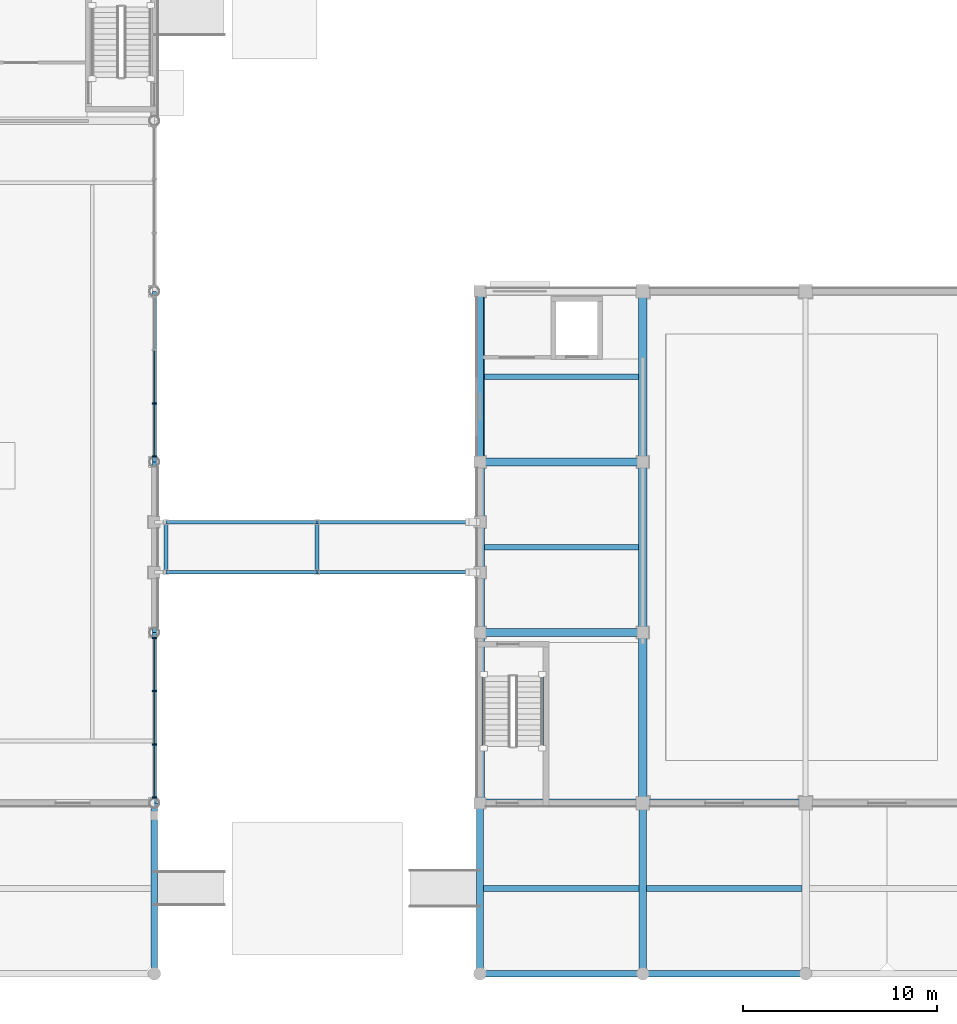
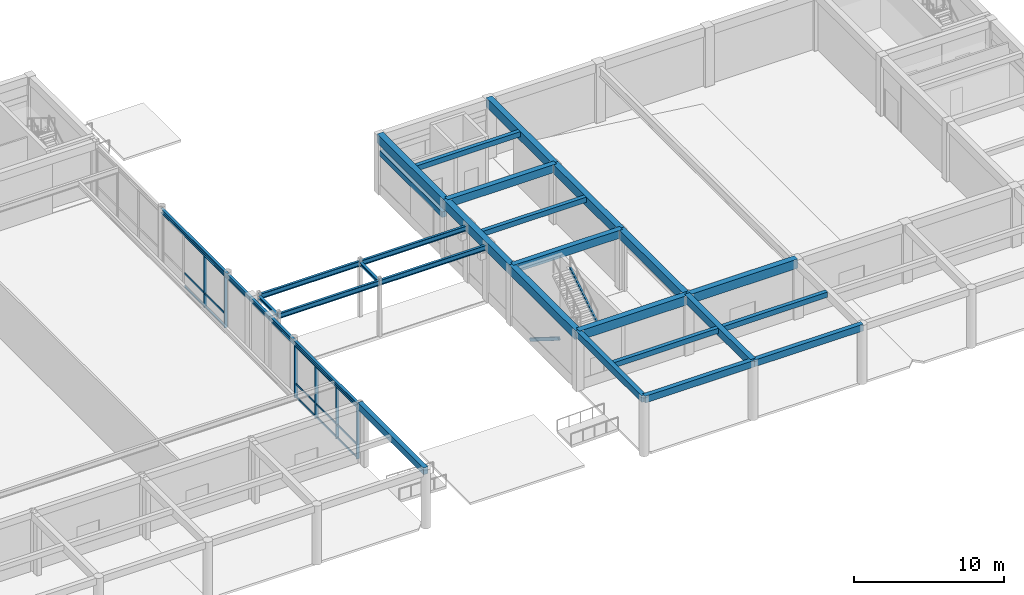
# One storey, part 13 of 58: 29 beams, 23 members, 2 elements without a shape of their own.
"""IFC4 building model written with IfcOpenShell, lengths in metres."""

from ifc_helpers import new_model, si_unit, direction, frame, origin, origin_2d, place, context, subcontext, project, spatial, rectangle, hollow_rectangle, i_section, extrude, material, material_profile, profile_set, type_object, element, aggregate, save


model = new_model("IFC4")

# Units and contexts
model_context = context("Model", 3, precision=1e-05, world=origin(), true_north=direction((0.0, 1.0)))
body_context = subcontext(model_context, "Body", "Model", "MODEL_VIEW")
ifc_project = project(units=[si_unit("LENGTHUNIT", "METRE"), si_unit("AREAUNIT", "SQUARE_METRE"), si_unit("VOLUMEUNIT", "CUBIC_METRE"), si_unit("PLANEANGLEUNIT", "RADIAN"), si_unit("MASSUNIT", "GRAM", prefix="KILO")], contexts=[model_context])

# Site, building, storey
site_placement = place(None, origin())
site = spatial("IfcSite", under=ifc_project, at=site_placement, CompositionType="ELEMENT")
building_placement = place(site_placement, origin())
building = spatial("IfcBuilding", under=site, at=building_placement, Name="Kemercrest Conservatory and Botanical Centre", CompositionType="ELEMENT")
storey_placement = place(building_placement, origin())
storey = spatial("IfcBuildingStorey", under=building, at=storey_placement, Name="L00", CompositionType="ELEMENT", Elevation=0.0)

# Beams
ifc_material_1 = material(Name="Steel CSA G40.21 350W", Category="steel")
ifc_material_profile_1 = material_profile(ifc_material_1, i_section(OverallWidth=0.180908203125, OverallDepth=0.4169921875, WebThickness=0.010986328125, FlangeThickness=0.018310546875, FilletRadius=0.01611328125, at=origin_2d()), Name="W410X85")
ifc_profile_set_1 = profile_set([ifc_material_profile_1], Name="Steel CSA G40.21 350W")
beam_type_1 = type_object("IfcBeamType", Name="BM-LB410", PredefinedType="BEAM", material=ifc_profile_set_1)
for number, where, z_axis, x_axis, name in (
    (1, (42.199951171875, 28.699951171875, 4.37158203125), (1.0, 0.0, 0.0), (0.0, 1.0, 0.0), "Link bridge girder LB-01 SJ-1"),
    (2, (42.199951171875, 31.300048828125, 4.37158203125), (1.0, 0.0, 0.0), (0.0, 1.0, 0.0), "Link bridge girder LB-01 SJ-1"),
):
    element("IfcBeam", number, at=place(storey_placement, frame(where, z_axis=z_axis, x_axis=x_axis)), inside=storey, type_object=beam_type_1, Name=name, PredefinedType="BEAM", context=body_context, shape_type="SweptSolid", body=[
        extrude(i_section(OverallWidth=0.180908203125, OverallDepth=0.4169921875, WebThickness=0.010986328125, FlangeThickness=0.018310546875, FilletRadius=0.01611328125, at=origin_2d()), origin(), (0.0, 0.0, 1.0), 7.800048828125),
    ])
for number, where, z_axis, x_axis, name in (
    (3, (50.0, 28.699951171875, 4.37158203125), (1.0, 0.0, 0.0), (0.0, 1.0, 0.0), "Link bridge girder LB-01 SJ-1"),
    (4, (50.0, 31.300048828125, 4.37158203125), (1.0, 0.0, 0.0), (0.0, 1.0, 0.0), "Link bridge girder LB-01 SJ-1"),
):
    element("IfcBeam", number, at=place(storey_placement, frame(where, z_axis=z_axis, x_axis=x_axis)), inside=storey, type_object=beam_type_1, Name=name, PredefinedType="BEAM", context=body_context, shape_type="SweptSolid", body=[
        extrude(i_section(OverallWidth=0.180908203125, OverallDepth=0.4169921875, WebThickness=0.010986328125, FlangeThickness=0.018310546875, FilletRadius=0.01611328125, at=origin_2d()), origin(), (0.0, 0.0, 1.0), 8.25),
    ])
ifc_material_2 = material(Name="Concrete C40/50", Category="concrete")
ifc_material_profile_2 = material_profile(ifc_material_2, rectangle(XDim=0.39990234375, YDim=0.64990234375, at=origin_2d()), Name="RC 400x650")
ifc_profile_set_2 = profile_set([ifc_material_profile_2], Name="Concrete C40/50")
beam_type_2 = type_object("IfcBeamType", Name="BM-RC65", PredefinedType="BEAM", material=ifc_profile_set_2)
for number, where, z_axis, x_axis, name in (
    (5, (58.39990234375, 25.60009765625, 4.47509765625), (1.0, 0.0, 0.0), (0.0, 1.0, 0.0), "V2W-L01 beam BM-RC65 C/07-08"),
    (6, (58.39990234375, 34.39990234375, 4.47509765625), (1.0, 0.0, 0.0), (0.0, 1.0, 0.0), "V2W-L01 beam BM-RC65 D/07-08"),
):
    element("IfcBeam", number, at=place(storey_placement, frame(where, z_axis=z_axis, x_axis=x_axis)), inside=storey, type_object=beam_type_2, Name=name, PredefinedType="BEAM", context=body_context, shape_type="SweptSolid", body=[
        extrude(rectangle(XDim=0.39990234375, YDim=0.64990234375, at=origin_2d()), origin(), (0.0, 0.0, 1.0), 8.400146484375),
    ])
beam_1_placement = place(storey_placement, frame((66.800048828125, 8.0, 4.47509765625), z_axis=(0.0, 1.0, 0.0), x_axis=(-1.0, 0.0, 0.0)))
element("IfcBeam", 7, at=beam_1_placement, inside=storey, type_object=beam_type_2, Name="V2COL beam BM-RC65 08/A-B", PredefinedType="BEAM", context=body_context, shape_type="SweptSolid", body=[
    extrude(rectangle(XDim=0.39990234375, YDim=0.64990234375, at=origin_2d()), origin(), (0.0, 0.0, 1.0), 8.800048828125),
])

# Curtain wall, members
ifc_material_3 = material(Name="Thermally broken aluminium and triple low-e glazing", Category="aluminium")
curtain_wall_type_1 = type_object("IfcCurtainWallType", Name="CW-02", PredefinedType="USERDEFINED", material=ifc_material_3)
curtain_wall_1_placement = place(storey_placement, origin())
curtain_wall_1 = element("IfcCurtainWall", 8, at=curtain_wall_1_placement, inside=storey, type_object=curtain_wall_type_1, Name="Unitised curtain wall CW-02 (CW:L00:V1-001)", ObjectType="UNITISED CURTAIN WALL", PredefinedType="USERDEFINED")
ifc_material_4 = material(Name="Thermally broken anodized aluminium 6063-T6", Category="aluminium")
ifc_material_profile_3 = material_profile(ifc_material_4, rectangle(XDim=0.239990234375, YDim=0.074951171875, at=origin_2d()), Name="AL MULLION 75x240")
ifc_profile_set_3 = profile_set([ifc_material_profile_3], Name="Thermally broken anodized aluminium 6063-T6")
member_type_1 = type_object("IfcMemberType", Name="CW-M225", PredefinedType="MULLION", material=ifc_profile_set_3)
member_1_placement = place(storey_placement, frame((41.60009765625, 17.08642578125, 0.0), z_axis=(0.0, 0.0, 1.0), x_axis=(-1.0, 0.0, 0.0)))
member_1 = element("IfcMember", 9, at=member_1_placement, type_object=member_type_1, Name="CW-02 mullion 1", PredefinedType="MULLION", context=body_context, shape_type="SweptSolid", body=[
    extrude(rectangle(XDim=0.239990234375, YDim=0.074951171875, at=origin_2d()), origin(), (0.0, 0.0, 1.0), 4.23095703125),
])
member_2_placement = place(storey_placement, frame((41.60009765625, 19.81640625, 0.0), z_axis=(0.0, 0.0, 1.0), x_axis=(-1.0, 0.0, 0.0)))
member_2 = element("IfcMember", 10, at=member_2_placement, type_object=member_type_1, Name="CW-02 mullion 2", PredefinedType="MULLION", context=body_context, shape_type="SweptSolid", body=[
    extrude(rectangle(XDim=0.239990234375, YDim=0.074951171875, at=origin_2d()), origin(), (0.0, 0.0, 1.0), 4.23095703125),
])
member_3_placement = place(storey_placement, frame((41.60009765625, 22.583740234375, 0.0), z_axis=(0.0, 0.0, 1.0), x_axis=(-1.0, 0.0, 0.0)))
member_3 = element("IfcMember", 11, at=member_3_placement, type_object=member_type_1, Name="CW-02 mullion 3", PredefinedType="MULLION", context=body_context, shape_type="SweptSolid", body=[
    extrude(rectangle(XDim=0.239990234375, YDim=0.074951171875, at=origin_2d()), origin(), (0.0, 0.0, 1.0), 4.23095703125),
])
member_4_placement = place(storey_placement, frame((41.60009765625, 25.3134765625, 0.0), z_axis=(0.0, 0.0, 1.0), x_axis=(-1.0, 0.0, 0.0)))
member_4 = element("IfcMember", 12, at=member_4_placement, type_object=member_type_1, Name="CW-02 mullion 4", PredefinedType="MULLION", context=body_context, shape_type="SweptSolid", body=[
    extrude(rectangle(XDim=0.239990234375, YDim=0.074951171875, at=origin_2d()), origin(), (0.0, 0.0, 1.0), 4.23095703125),
])

curtain_wall_type_2 = type_object("IfcCurtainWallType", Name="CW-03", PredefinedType="USERDEFINED", material=ifc_material_3)
curtain_wall_2_placement = place(storey_placement, origin())
curtain_wall_2 = element("IfcCurtainWall", 13, at=curtain_wall_2_placement, inside=storey, type_object=curtain_wall_type_2, Name="Unitised curtain wall CW-03 (CW:L00:V1-002)", ObjectType="UNITISED CURTAIN WALL", PredefinedType="USERDEFINED")
member_5_placement = place(storey_placement, frame((41.60009765625, 34.6865234375, 0.0), z_axis=(0.0, 0.0, 1.0), x_axis=(-1.0, 0.0, 0.0)))
member_5 = element("IfcMember", 14, at=member_5_placement, type_object=member_type_1, Name="CW-03 mullion 1", PredefinedType="MULLION", context=body_context, shape_type="SweptSolid", body=[
    extrude(rectangle(XDim=0.239990234375, YDim=0.074951171875, at=origin_2d()), origin(), (0.0, 0.0, 1.0), 4.23095703125),
])
member_6_placement = place(storey_placement, frame((41.60009765625, 37.416259765625, 0.0), z_axis=(0.0, 0.0, 1.0), x_axis=(-1.0, 0.0, 0.0)))
member_6 = element("IfcMember", 15, at=member_6_placement, type_object=member_type_1, Name="CW-03 mullion 2", PredefinedType="MULLION", context=body_context, shape_type="SweptSolid", body=[
    extrude(rectangle(XDim=0.239990234375, YDim=0.074951171875, at=origin_2d()), origin(), (0.0, 0.0, 1.0), 4.23095703125),
])

# Member
ifc_material_profile_4 = material_profile(ifc_material_4, rectangle(XDim=0.06494140625, YDim=0.14990234375, at=origin_2d()), Name="AL TRANSOM 65x150")
ifc_profile_set_4 = profile_set([ifc_material_profile_4], Name="Thermally broken anodized aluminium 6063-T6")
member_type_2 = type_object("IfcMemberType", Name="CW-T200", PredefinedType="USERDEFINED", material=ifc_profile_set_4)
member_7_placement = place(storey_placement, frame((41.60009765625, 17.1240234375, 0.074951171875), z_axis=(0.0, 1.0, 0.0), x_axis=(-1.0, 0.0, 0.0)))
member_7 = element("IfcMember", 16, at=member_7_placement, type_object=member_type_2, Name="CW-02 transom 1.1", ObjectType="TRANSOM", PredefinedType="USERDEFINED", context=body_context, shape_type="SweptSolid", body=[
    extrude(rectangle(XDim=0.06494140625, YDim=0.14990234375, at=origin_2d()), origin(), (0.0, 0.0, 1.0), 2.65478515625),
])

member_8_placement = place(storey_placement, frame((41.60009765625, 17.1240234375, 1.1201171875), z_axis=(0.0, 1.0, 0.0), x_axis=(-1.0, 0.0, 0.0)))
member_8 = element("IfcMember", 17, at=member_8_placement, type_object=member_type_2, Name="CW-02 transom 1.2", ObjectType="TRANSOM", PredefinedType="USERDEFINED", context=body_context, shape_type="SweptSolid", body=[
    extrude(rectangle(XDim=0.06494140625, YDim=0.14990234375, at=origin_2d()), origin(), (0.0, 0.0, 1.0), 2.65478515625),
])

member_9_placement = place(storey_placement, frame((41.60009765625, 17.1240234375, 4.156005859375), z_axis=(0.0, 1.0, 0.0), x_axis=(-1.0, 0.0, 0.0)))
member_9 = element("IfcMember", 18, at=member_9_placement, type_object=member_type_2, Name="CW-02 transom 1.3", ObjectType="TRANSOM", PredefinedType="USERDEFINED", context=body_context, shape_type="SweptSolid", body=[
    extrude(rectangle(XDim=0.06494140625, YDim=0.14990234375, at=origin_2d()), origin(), (0.0, 0.0, 1.0), 2.65478515625),
])

member_10_placement = place(storey_placement, frame((41.60009765625, 19.853759765625, 0.074951171875), z_axis=(0.0, 1.0, 0.0), x_axis=(-1.0, 0.0, 0.0)))
member_10 = element("IfcMember", 19, at=member_10_placement, type_object=member_type_2, Name="CW-02 transom 2.1", ObjectType="TRANSOM", PredefinedType="USERDEFINED", context=body_context, shape_type="SweptSolid", body=[
    extrude(rectangle(XDim=0.06494140625, YDim=0.14990234375, at=origin_2d()), origin(), (0.0, 0.0, 1.0), 2.6923828125),
])

member_11_placement = place(storey_placement, frame((41.60009765625, 19.853759765625, 1.1201171875), z_axis=(0.0, 1.0, 0.0), x_axis=(-1.0, 0.0, 0.0)))
member_11 = element("IfcMember", 20, at=member_11_placement, type_object=member_type_2, Name="CW-02 transom 2.2", ObjectType="TRANSOM", PredefinedType="USERDEFINED", context=body_context, shape_type="SweptSolid", body=[
    extrude(rectangle(XDim=0.06494140625, YDim=0.14990234375, at=origin_2d()), origin(), (0.0, 0.0, 1.0), 2.6923828125),
])

member_12_placement = place(storey_placement, frame((41.60009765625, 19.853759765625, 4.156005859375), z_axis=(0.0, 1.0, 0.0), x_axis=(-1.0, 0.0, 0.0)))
member_12 = element("IfcMember", 21, at=member_12_placement, type_object=member_type_2, Name="CW-02 transom 2.3", ObjectType="TRANSOM", PredefinedType="USERDEFINED", context=body_context, shape_type="SweptSolid", body=[
    extrude(rectangle(XDim=0.06494140625, YDim=0.14990234375, at=origin_2d()), origin(), (0.0, 0.0, 1.0), 2.6923828125),
])

member_13_placement = place(storey_placement, frame((41.60009765625, 22.62109375, 0.074951171875), z_axis=(0.0, 1.0, 0.0), x_axis=(-1.0, 0.0, 0.0)))
member_13 = element("IfcMember", 22, at=member_13_placement, type_object=member_type_2, Name="CW-02 transom 3.1", ObjectType="TRANSOM", PredefinedType="USERDEFINED", context=body_context, shape_type="SweptSolid", body=[
    extrude(rectangle(XDim=0.06494140625, YDim=0.14990234375, at=origin_2d()), origin(), (0.0, 0.0, 1.0), 2.65478515625),
])

member_14_placement = place(storey_placement, frame((41.60009765625, 22.62109375, 1.1201171875), z_axis=(0.0, 1.0, 0.0), x_axis=(-1.0, 0.0, 0.0)))
member_14 = element("IfcMember", 23, at=member_14_placement, type_object=member_type_2, Name="CW-02 transom 3.2", ObjectType="TRANSOM", PredefinedType="USERDEFINED", context=body_context, shape_type="SweptSolid", body=[
    extrude(rectangle(XDim=0.06494140625, YDim=0.14990234375, at=origin_2d()), origin(), (0.0, 0.0, 1.0), 2.65478515625),
])

member_15_placement = place(storey_placement, frame((41.60009765625, 22.62109375, 4.156005859375), z_axis=(0.0, 1.0, 0.0), x_axis=(-1.0, 0.0, 0.0)))
member_15 = element("IfcMember", 24, at=member_15_placement, type_object=member_type_2, Name="CW-02 transom 3.3", ObjectType="TRANSOM", PredefinedType="USERDEFINED", context=body_context, shape_type="SweptSolid", body=[
    extrude(rectangle(XDim=0.06494140625, YDim=0.14990234375, at=origin_2d()), origin(), (0.0, 0.0, 1.0), 2.65478515625),
])

aggregate(curtain_wall_1, [member_1, member_2, member_3, member_4, member_7, member_8, member_9, member_10, member_11, member_12, member_13, member_14, member_15])

member_16_placement = place(storey_placement, frame((41.60009765625, 34.72412109375, 0.074951171875), z_axis=(0.0, 1.0, 0.0), x_axis=(-1.0, 0.0, 0.0)))
member_16 = element("IfcMember", 25, at=member_16_placement, type_object=member_type_2, Name="CW-03 transom 1.1", ObjectType="TRANSOM", PredefinedType="USERDEFINED", context=body_context, shape_type="SweptSolid", body=[
    extrude(rectangle(XDim=0.06494140625, YDim=0.14990234375, at=origin_2d()), origin(), (0.0, 0.0, 1.0), 2.65478515625),
])

member_17_placement = place(storey_placement, frame((41.60009765625, 34.72412109375, 1.1201171875), z_axis=(0.0, 1.0, 0.0), x_axis=(-1.0, 0.0, 0.0)))
member_17 = element("IfcMember", 26, at=member_17_placement, type_object=member_type_2, Name="CW-03 transom 1.2", ObjectType="TRANSOM", PredefinedType="USERDEFINED", context=body_context, shape_type="SweptSolid", body=[
    extrude(rectangle(XDim=0.06494140625, YDim=0.14990234375, at=origin_2d()), origin(), (0.0, 0.0, 1.0), 2.65478515625),
])

member_18_placement = place(storey_placement, frame((41.60009765625, 34.72412109375, 4.156005859375), z_axis=(0.0, 1.0, 0.0), x_axis=(-1.0, 0.0, 0.0)))
member_18 = element("IfcMember", 27, at=member_18_placement, type_object=member_type_2, Name="CW-03 transom 1.3", ObjectType="TRANSOM", PredefinedType="USERDEFINED", context=body_context, shape_type="SweptSolid", body=[
    extrude(rectangle(XDim=0.06494140625, YDim=0.14990234375, at=origin_2d()), origin(), (0.0, 0.0, 1.0), 2.65478515625),
])

member_19_placement = place(storey_placement, frame((41.60009765625, 37.453857421875, 0.074951171875), z_axis=(0.0, 1.0, 0.0), x_axis=(-1.0, 0.0, 0.0)))
member_19 = element("IfcMember", 28, at=member_19_placement, type_object=member_type_2, Name="CW-03 transom 2.1", ObjectType="TRANSOM", PredefinedType="USERDEFINED", context=body_context, shape_type="SweptSolid", body=[
    extrude(rectangle(XDim=0.06494140625, YDim=0.14990234375, at=origin_2d()), origin(), (0.0, 0.0, 1.0), 2.6923828125),
])

member_20_placement = place(storey_placement, frame((41.60009765625, 37.453857421875, 1.1201171875), z_axis=(0.0, 1.0, 0.0), x_axis=(-1.0, 0.0, 0.0)))
member_20 = element("IfcMember", 29, at=member_20_placement, type_object=member_type_2, Name="CW-03 transom 2.2", ObjectType="TRANSOM", PredefinedType="USERDEFINED", context=body_context, shape_type="SweptSolid", body=[
    extrude(rectangle(XDim=0.06494140625, YDim=0.14990234375, at=origin_2d()), origin(), (0.0, 0.0, 1.0), 2.6923828125),
])

member_21_placement = place(storey_placement, frame((41.60009765625, 37.453857421875, 4.156005859375), z_axis=(0.0, 1.0, 0.0), x_axis=(-1.0, 0.0, 0.0)))
member_21 = element("IfcMember", 30, at=member_21_placement, type_object=member_type_2, Name="CW-03 transom 2.3", ObjectType="TRANSOM", PredefinedType="USERDEFINED", context=body_context, shape_type="SweptSolid", body=[
    extrude(rectangle(XDim=0.06494140625, YDim=0.14990234375, at=origin_2d()), origin(), (0.0, 0.0, 1.0), 2.6923828125),
])

aggregate(curtain_wall_2, [member_5, member_6, member_16, member_17, member_18, member_19, member_20, member_21])

# Beams
ifc_material_profile_5 = material_profile(ifc_material_2, rectangle(XDim=0.300048828125, YDim=0.419921875, at=origin_2d()), Name="RC 300x420")
ifc_profile_set_5 = profile_set([ifc_material_profile_5], Name="Concrete C40/50")
beam_type_3 = type_object("IfcBeamType", Name="JS-RC42", PredefinedType="JOIST", material=ifc_profile_set_5)
for number, where, z_axis, x_axis, name in (
    (31, (58.625, 30.0, 4.590087890625), (1.0, 0.0, 0.0), (0.0, 1.0, 0.0), "V2W-L01 secondary joist JS-RC42"),
    (32, (58.625, 38.800048828125, 4.590087890625), (1.0, 0.0, 0.0), (0.0, 1.0, 0.0), "V2W-L01 secondary joist JS-RC42"),
):
    element("IfcBeam", number, at=place(storey_placement, frame(where, z_axis=z_axis, x_axis=x_axis)), inside=storey, type_object=beam_type_3, Name=name, PredefinedType="JOIST", context=body_context, shape_type="SweptSolid", body=[
        extrude(rectangle(XDim=0.300048828125, YDim=0.419921875, at=origin_2d()), origin(), (0.0, 0.0, 1.0), 7.949951171875),
    ])
beam_2_placement = place(storey_placement, frame((58.574951171875, 12.39990234375, 4.590087890625), z_axis=(1.0, 0.0, 0.0), x_axis=(0.0, 1.0, 0.0)))
element("IfcBeam", 33, at=beam_2_placement, inside=storey, type_object=beam_type_3, Name="V2COL secondary joist JS-RC42", PredefinedType="JOIST", context=body_context, shape_type="SweptSolid", body=[
    extrude(rectangle(XDim=0.300048828125, YDim=0.419921875, at=origin_2d()), origin(), (0.0, 0.0, 1.0), 8.025146484375),
])
beam_3_placement = place(storey_placement, frame((67.0, 12.39990234375, 4.590087890625), z_axis=(1.0, 0.0, 0.0), x_axis=(0.0, 1.0, 0.0)))
element("IfcBeam", 34, at=beam_3_placement, inside=storey, type_object=beam_type_3, Name="V2COL secondary joist JS-RC42", PredefinedType="JOIST", context=body_context, shape_type="SweptSolid", body=[
    extrude(rectangle(XDim=0.300048828125, YDim=0.419921875, at=origin_2d()), origin(), (0.0, 0.0, 1.0), 8.0),
])
ifc_material_profile_6 = material_profile(ifc_material_1, i_section(OverallWidth=0.202880859375, OverallDepth=0.251953125, WebThickness=0.008056640625, FlangeThickness=0.013427734375, FilletRadius=0.010986328125, at=origin_2d()), Name="W250X58")
ifc_profile_set_6 = profile_set([ifc_material_profile_6], Name="Steel CSA G40.21 350W")
beam_type_4 = type_object("IfcBeamType", Name="JS-W250", PredefinedType="JOIST", material=ifc_profile_set_6)
for number, where, z_axis, x_axis, name in (
    (35, (42.199951171875, 28.79052734375, 4.37158203125), (0.0, 1.0, 0.0), (-1.0, 0.0, 0.0), "Link bridge cross beam SJ-1"),
    (36, (50.0, 28.79052734375, 4.37158203125), (0.0, 1.0, 0.0), (-1.0, 0.0, 0.0), "Link bridge cross beam SJ-1"),
):
    element("IfcBeam", number, at=place(storey_placement, frame(where, z_axis=z_axis, x_axis=x_axis)), inside=storey, type_object=beam_type_4, Name=name, PredefinedType="JOIST", context=body_context, shape_type="SweptSolid", body=[
        extrude(i_section(OverallWidth=0.202880859375, OverallDepth=0.251953125, WebThickness=0.008056640625, FlangeThickness=0.013427734375, FilletRadius=0.010986328125, at=origin_2d()), origin(), (0.0, 0.0, 1.0), 2.4189453125),
    ])
ifc_material_profile_7 = material_profile(ifc_material_1, i_section(OverallWidth=0.205078125, OverallDepth=0.35400390625, WebThickness=0.009521484375, FlangeThickness=0.016845703125, FilletRadius=0.014892578125, at=origin_2d()), Name="W360X79")
ifc_profile_set_7 = profile_set([ifc_material_profile_7], Name="Steel CSA G40.21 350W")
beam_type_5 = type_object("IfcBeamType", Name="JS-W360", PredefinedType="JOIST", material=ifc_profile_set_7)
beam_4_placement = place(storey_placement, frame((41.60009765625, 16.800048828125, 4.403076171875), z_axis=(0.0, 1.0, 0.0), x_axis=(-1.0, 0.0, 0.0)))
element("IfcBeam", 37, at=beam_4_placement, inside=storey, type_object=beam_type_5, Name="Conservatory canopy perimeter beam", PredefinedType="JOIST", context=body_context, shape_type="SweptSolid", body=[
    extrude(i_section(OverallWidth=0.205078125, OverallDepth=0.35400390625, WebThickness=0.009521484375, FlangeThickness=0.016845703125, FilletRadius=0.014892578125, at=origin_2d()), origin(), (0.0, 0.0, 1.0), 8.800048828125),
])
beam_5_placement = place(storey_placement, frame((41.60009765625, 25.60009765625, 4.403076171875), z_axis=(0.0, 1.0, 0.0), x_axis=(-1.0, 0.0, 0.0)))
element("IfcBeam", 38, at=beam_5_placement, inside=storey, type_object=beam_type_5, Name="Conservatory canopy perimeter beam", PredefinedType="JOIST", context=body_context, shape_type="SweptSolid", body=[
    extrude(i_section(OverallWidth=0.205078125, OverallDepth=0.35400390625, WebThickness=0.009521484375, FlangeThickness=0.016845703125, FilletRadius=0.014892578125, at=origin_2d()), origin(), (0.0, 0.0, 1.0), 8.7998046875),
])
beam_6_placement = place(storey_placement, frame((41.60009765625, 34.39990234375, 4.403076171875), z_axis=(0.0, 1.0, 0.0), x_axis=(-1.0, 0.0, 0.0)))
element("IfcBeam", 39, at=beam_6_placement, inside=storey, type_object=beam_type_5, Name="Conservatory canopy perimeter beam", PredefinedType="JOIST", context=body_context, shape_type="SweptSolid", body=[
    extrude(i_section(OverallWidth=0.205078125, OverallDepth=0.35400390625, WebThickness=0.009521484375, FlangeThickness=0.016845703125, FilletRadius=0.014892578125, at=origin_2d()), origin(), (0.0, 0.0, 1.0), 8.800048828125),
])
ifc_material_5 = material(Name="Precast concrete C40/50", Category="concrete")
ifc_material_profile_8 = material_profile(ifc_material_5, rectangle(XDim=0.35009765625, YDim=0.449951171875, at=origin_2d()), Name="RC 350x450")
ifc_profile_set_8 = profile_set([ifc_material_profile_8], Name="Precast concrete C40/50")
beam_type_6 = type_object("IfcBeamType", Name="LN-RC45", PredefinedType="LINTEL", material=ifc_profile_set_8)
beam_7_placement = place(storey_placement, frame((58.39990234375, 42.949951171875, 3.364990234375), z_axis=(0.0, -1.0, 0.0), x_axis=(1.0, 0.0, 0.0)))
element("IfcBeam", 40, at=beam_7_placement, inside=storey, type_object=beam_type_6, Name="Precast arched window lintel (WIN:L00:EXT-034)", PredefinedType="LINTEL", context=body_context, shape_type="SweptSolid", body=[
    extrude(rectangle(XDim=0.35009765625, YDim=0.449951171875, at=origin_2d()), origin(), (0.0, 0.0, 1.0), 8.300048828125),
])
ifc_material_profile_9 = material_profile(ifc_material_5, rectangle(XDim=0.35009765625, YDim=0.550048828125, at=origin_2d()), Name="RC 350x550")
ifc_profile_set_9 = profile_set([ifc_material_profile_9], Name="Precast concrete C40/50")
beam_type_7 = type_object("IfcBeamType", Name="SP-ARC65", PredefinedType="SPANDREL", material=ifc_profile_set_9)
beam_8_placement = place(storey_placement, frame((41.60009765625, 8.0, 4.52490234375), z_axis=(0.0, 1.0, 0.0), x_axis=(-1.0, 0.0, 0.0)))
element("IfcBeam", 41, at=beam_8_placement, inside=storey, type_object=beam_type_7, Name="V1COL beam SP-ARC65 05/A-B", PredefinedType="SPANDREL", context=body_context, shape_type="SweptSolid", body=[
    extrude(rectangle(XDim=0.35009765625, YDim=0.550048828125, at=origin_2d()), origin(), (0.0, 0.0, 1.0), 8.800048828125),
])
beam_9_placement = place(storey_placement, frame((58.39990234375, 8.0, 4.52490234375), z_axis=(1.0, 0.0, 0.0), x_axis=(0.0, 1.0, 0.0)))
element("IfcBeam", 42, at=beam_9_placement, inside=storey, type_object=beam_type_7, Name="V2COL beam SP-ARC65 A/07-08", PredefinedType="SPANDREL", context=body_context, shape_type="SweptSolid", body=[
    extrude(rectangle(XDim=0.35009765625, YDim=0.550048828125, at=origin_2d()), origin(), (0.0, 0.0, 1.0), 8.400146484375),
])
beam_10_placement = place(storey_placement, frame((66.800048828125, 8.0, 4.52490234375), z_axis=(1.0, 0.0, 0.0), x_axis=(0.0, 1.0, 0.0)))
element("IfcBeam", 43, at=beam_10_placement, inside=storey, type_object=beam_type_7, Name="V2COL beam SP-ARC65 A/08-09", PredefinedType="SPANDREL", context=body_context, shape_type="SweptSolid", body=[
    extrude(rectangle(XDim=0.35009765625, YDim=0.550048828125, at=origin_2d()), origin(), (0.0, 0.0, 1.0), 8.39990234375),
])
beam_11_placement = place(storey_placement, frame((58.39990234375, 8.0, 4.52490234375), z_axis=(0.0, 1.0, 0.0), x_axis=(-1.0, 0.0, 0.0)))
element("IfcBeam", 44, at=beam_11_placement, inside=storey, type_object=beam_type_7, Name="V2COL beam SP-ARC65 07/A-B", PredefinedType="SPANDREL", context=body_context, shape_type="SweptSolid", body=[
    extrude(rectangle(XDim=0.35009765625, YDim=0.550048828125, at=origin_2d()), origin(), (0.0, 0.0, 1.0), 8.800048828125),
])
ifc_material_profile_10 = material_profile(ifc_material_2, rectangle(XDim=0.449951171875, YDim=0.75, at=origin_2d()), Name="RC 450x750")
ifc_profile_set_10 = profile_set([ifc_material_profile_10], Name="Concrete C40/50")
beam_type_8 = type_object("IfcBeamType", Name="SP-RC75", PredefinedType="SPANDREL", material=ifc_profile_set_10)
beam_12_placement = place(storey_placement, frame((58.39990234375, 16.800048828125, 4.425048828125), z_axis=(1.0, 0.0, 0.0), x_axis=(0.0, 1.0, 0.0)))
element("IfcBeam", 45, at=beam_12_placement, inside=storey, type_object=beam_type_8, Name="V2W-L01 beam SP-RC75 B/07-08", PredefinedType="SPANDREL", context=body_context, shape_type="SweptSolid", body=[
    extrude(rectangle(XDim=0.449951171875, YDim=0.75, at=origin_2d()), origin(), (0.0, 0.0, 1.0), 8.400146484375),
])
beam_13_placement = place(storey_placement, frame((58.39990234375, 16.800048828125, 4.425048828125), z_axis=(0.0, 1.0, 0.0), x_axis=(-1.0, 0.0, 0.0)))
element("IfcBeam", 46, at=beam_13_placement, inside=storey, type_object=beam_type_8, Name="V2W-L01 beam SP-RC75 07/B-C", PredefinedType="SPANDREL", context=body_context, shape_type="SweptSolid", body=[
    extrude(rectangle(XDim=0.449951171875, YDim=0.75, at=origin_2d()), origin(), (0.0, 0.0, 1.0), 8.800048828125),
])
beam_14_placement = place(storey_placement, frame((58.39990234375, 25.60009765625, 4.425048828125), z_axis=(0.0, 1.0, 0.0), x_axis=(-1.0, 0.0, 0.0)))
element("IfcBeam", 47, at=beam_14_placement, inside=storey, type_object=beam_type_8, Name="V2W-L01 beam SP-RC75 07/C-D", PredefinedType="SPANDREL", context=body_context, shape_type="SweptSolid", body=[
    extrude(rectangle(XDim=0.449951171875, YDim=0.75, at=origin_2d()), origin(), (0.0, 0.0, 1.0), 8.7998046875),
])
for number, where, z_axis, x_axis, name in (
    (48, (58.39990234375, 34.39990234375, 4.425048828125), (0.0, 1.0, 0.0), (-1.0, 0.0, 0.0), "V2W-L01 beam SP-RC75 07/D-E"),
    (49, (66.800048828125, 16.800048828125, 4.425048828125), (0.0, 1.0, 0.0), (-1.0, 0.0, 0.0), "V2W-L01 beam SP-RC75 08/B-C"),
):
    element("IfcBeam", number, at=place(storey_placement, frame(where, z_axis=z_axis, x_axis=x_axis)), inside=storey, type_object=beam_type_8, Name=name, PredefinedType="SPANDREL", context=body_context, shape_type="SweptSolid", body=[
        extrude(rectangle(XDim=0.449951171875, YDim=0.75, at=origin_2d()), origin(), (0.0, 0.0, 1.0), 8.800048828125),
    ])
beam_15_placement = place(storey_placement, frame((66.800048828125, 25.60009765625, 4.425048828125), z_axis=(0.0, 1.0, 0.0), x_axis=(-1.0, 0.0, 0.0)))
element("IfcBeam", 50, at=beam_15_placement, inside=storey, type_object=beam_type_8, Name="V2W-L01 beam SP-RC75 08/C-D", PredefinedType="SPANDREL", context=body_context, shape_type="SweptSolid", body=[
    extrude(rectangle(XDim=0.449951171875, YDim=0.75, at=origin_2d()), origin(), (0.0, 0.0, 1.0), 8.7998046875),
])
beam_16_placement = place(storey_placement, frame((66.800048828125, 34.39990234375, 4.425048828125), z_axis=(0.0, 1.0, 0.0), x_axis=(-1.0, 0.0, 0.0)))
element("IfcBeam", 51, at=beam_16_placement, inside=storey, type_object=beam_type_8, Name="V2W-L01 beam SP-RC75 08/D-E", PredefinedType="SPANDREL", context=body_context, shape_type="SweptSolid", body=[
    extrude(rectangle(XDim=0.449951171875, YDim=0.75, at=origin_2d()), origin(), (0.0, 0.0, 1.0), 8.800048828125),
])
beam_17_placement = place(storey_placement, frame((66.800048828125, 16.800048828125, 4.425048828125), z_axis=(1.0, 0.0, 0.0), x_axis=(0.0, 1.0, 0.0)))
element("IfcBeam", 52, at=beam_17_placement, inside=storey, type_object=beam_type_8, Name="Auditorium perimeter spandrel beam", PredefinedType="SPANDREL", context=body_context, shape_type="SweptSolid", body=[
    extrude(rectangle(XDim=0.449951171875, YDim=0.75, at=origin_2d()), origin(), (0.0, 0.0, 1.0), 8.39990234375),
])

# Members
ifc_material_profile_11 = material_profile(ifc_material_1, hollow_rectangle(XDim=0.15234375, YDim=0.25390625, WallThickness=0.009521484375, InnerFilletRadius=0.009521484375, OuterFilletRadius=0.01904296875, at=origin_2d()), Name="HSS 254x152x9.5")
ifc_profile_set_11 = profile_set([ifc_material_profile_11], Name="Steel CSA G40.21 350W")
member_type_3 = type_object("IfcMemberType", Name="SR-STR254", PredefinedType="STRINGER", material=ifc_profile_set_11)
for number, where, z_axis, x_axis, name in (
    (53, (58.590087890625, 23.43994140625, -0.10009765625), (0.0, -0.84748707537, 0.530816029411), (1.0, 0.0, 0.0), "Stair ST-V2A steel stringer #11"),
    (54, (61.610107421875, 23.43994140625, 4.679931640625), (0.0, -0.847511569253, -0.53077692111), (1.0, 0.0, 0.0), "Stair ST-V2A steel stringer #12"),
):
    element("IfcMember", number, at=place(storey_placement, frame(where, z_axis=z_axis, x_axis=x_axis)), inside=storey, type_object=member_type_3, Name=name, PredefinedType="STRINGER", context=body_context, shape_type="SweptSolid", body=[
        extrude(hollow_rectangle(XDim=0.15234375, YDim=0.25390625, WallThickness=0.009521484375, InnerFilletRadius=0.009521484375, OuterFilletRadius=0.01904296875, at=origin_2d()), origin(), (0.0, 0.0, 1.0), 4.48388671875),
    ])

save(model, "model.ifc")
